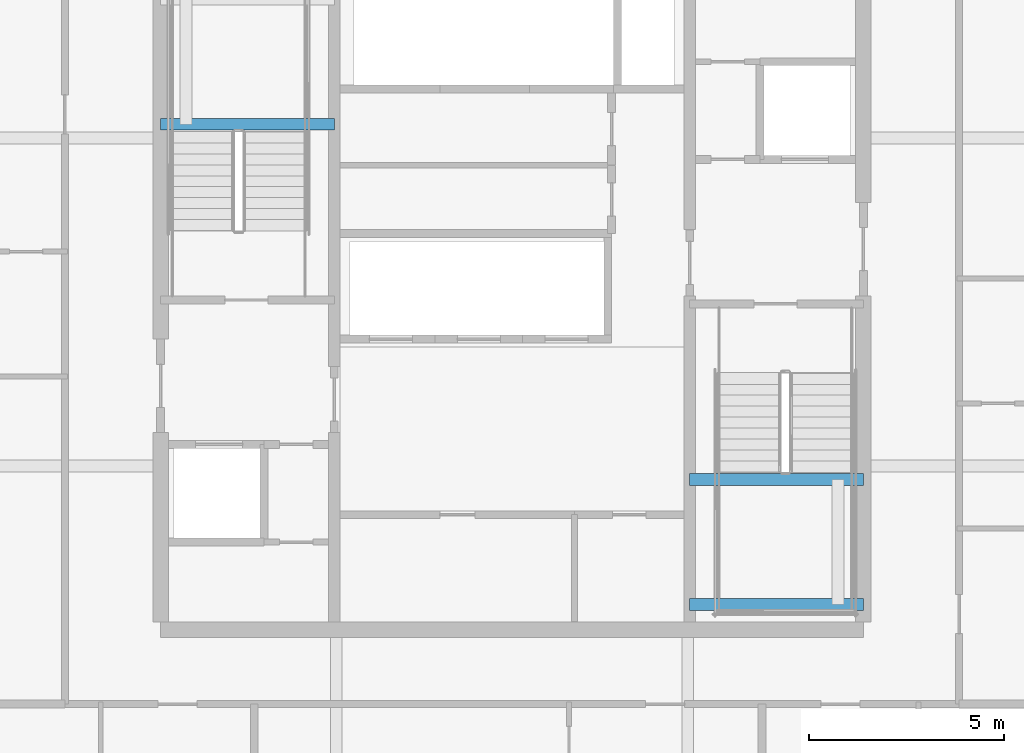
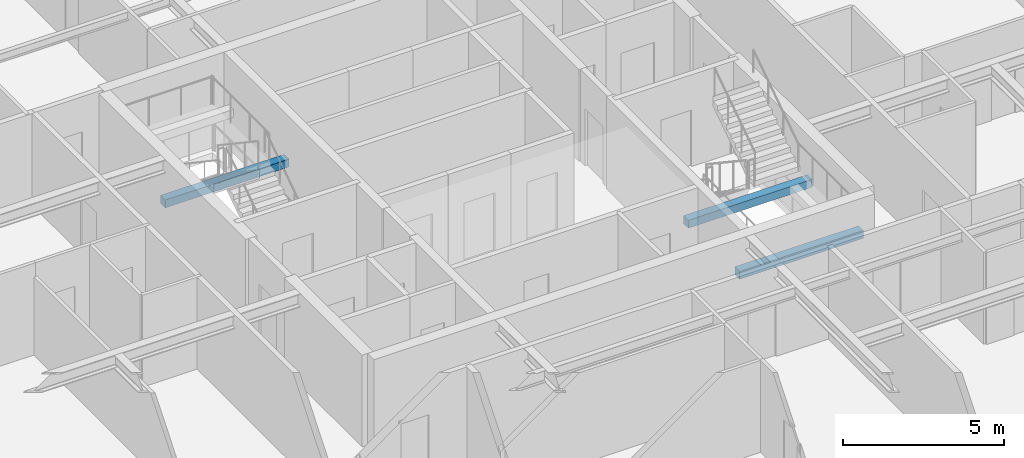
# One storey, part 9 of 35: 3 beams.
"""IFC4 building model written with IfcOpenShell, lengths in metres."""

import ifcopenshell
import ifcopenshell.guid

model = None  # the IFC model being written
_history = None  # IfcOwnerHistory: only IFC2X3 demands one
_inside = {}  # id of a spatial element -> (the spatial element, [elements in it])
_under = {}  # id of a project, library or spatial element -> (it, [spatial elements below it])
_declared = {}  # id of a project -> (the project, [libraries it declares])
_typed = {}  # id of a type object -> (the type object, [elements of that type])
_made_of = {}  # id of a material, layer set ... -> (it, [elements and type objects made of it])


def new_model(schema):
    """Start an empty IFC model of exactly this schema.

    Asked for "IFC4X3", IfcOpenShell would pick the latest addendum, in which some entities
    have other attributes; the version numbers below select the first issue.
    IFC2X3 requires an IfcOwnerHistory on every rooted entity: one is made here for all.
    """
    global model, _history
    if schema == "IFC4X3":
        model = ifcopenshell.file(schema_version=(4, 3, 0, 0))
    else:
        model = ifcopenshell.file(schema=schema)
    _inside.clear()
    _under.clear()
    _declared.clear()
    _typed.clear()
    _made_of.clear()
    _history = None
    if model.schema == "IFC2X3":
        org = make("IfcOrganization", Name="unknown")
        user = make(
            "IfcPersonAndOrganization",
            ThePerson=make("IfcPerson", FamilyName="unknown"),
            TheOrganization=org,
        )
        app = make(
            "IfcApplication",
            ApplicationDeveloper=org,
            Version="unknown",
            ApplicationFullName="unknown",
            ApplicationIdentifier="unknown",
        )
        _history = make(
            "IfcOwnerHistory",
            OwningUser=user,
            OwningApplication=app,
            ChangeAction="ADDED",
            CreationDate=0,
        )
    return model


def make(cls, **values):
    """One entity of the class cls with the attributes given. An attribute that is None is left unset."""
    return model.create_entity(
        cls, **{name: value for name, value in values.items() if value is not None}
    )


def rooted(cls, **values):
    """An entity with a GlobalId (a new one), such as an element, a storey or a relation."""
    return make(cls, GlobalId=ifcopenshell.guid.new(), OwnerHistory=_history, **values)


def si_unit(unit_type, name, prefix=None):
    """IfcSIUnit, for example si_unit("LENGTHUNIT", "METRE", prefix="MILLI")."""
    return make("IfcSIUnit", UnitType=unit_type, Prefix=prefix, Name=name)


def assignment(units):
    """IfcUnitAssignment: the units of a project."""
    return None if units is None else make("IfcUnitAssignment", Units=units)


def point(xyz):
    """IfcCartesianPoint."""
    return None if xyz is None else make("IfcCartesianPoint", Coordinates=xyz)


def direction(xyz):
    """IfcDirection."""
    return None if xyz is None else make("IfcDirection", DirectionRatios=xyz)


def frame(location, z_axis=None, x_axis=None):
    """IfcAxis2Placement3D, a coordinate frame: its origin and axes. An axis left out is left unset."""
    return make(
        "IfcAxis2Placement3D",
        Location=point(location),
        Axis=direction(z_axis),
        RefDirection=direction(x_axis),
    )


def frame_2d(location, x_axis=None):
    """IfcAxis2Placement2D, a coordinate frame in the plane: its origin and x axis."""
    return make(
        "IfcAxis2Placement2D", Location=point(location), RefDirection=direction(x_axis)
    )


def origin():
    """The frame at (0, 0, 0) with its axes left unset."""
    return frame((0.0, 0.0, 0.0))


def origin_2d():
    """The frame at (0, 0) in the plane with its x axis left unset."""
    return frame_2d((0.0, 0.0))


def place(relative_to, where):
    """IfcLocalPlacement: puts the frame where relative to a parent placement (None: the world)."""
    return make(
        "IfcLocalPlacement", PlacementRelTo=relative_to, RelativePlacement=where
    )


def context(
    kind, dimensions, precision=None, world=None, true_north=None, identifier=None
):
    """IfcGeometricRepresentationContext, for example the 3D "Model" context."""
    return make(
        "IfcGeometricRepresentationContext",
        ContextIdentifier=identifier,
        ContextType=kind,
        CoordinateSpaceDimension=dimensions,
        Precision=precision,
        WorldCoordinateSystem=world,
        TrueNorth=true_north,
    )


def subcontext(parent, identifier, kind, view, scale=None):
    """IfcGeometricRepresentationSubContext, for example "Body" below "Model"."""
    return make(
        "IfcGeometricRepresentationSubContext",
        ContextIdentifier=identifier,
        ContextType=kind,
        ParentContext=parent,
        TargetScale=scale,
        TargetView=view,
    )


def project(units=None, contexts=None):
    """IfcProject with its units and contexts."""
    return rooted(
        "IfcProject",
        Name="project",
        RepresentationContexts=contexts,
        UnitsInContext=assignment(units),
    )


def spatial(cls, under=None, at=None, **own):
    """A site, building, storey or space (cls), placed at a placement, below another one or the project."""
    s = rooted(cls, ObjectPlacement=at, **own)
    if under is not None:
        _under.setdefault(under.id(), (under, []))[1].append(s)
    return s


def profile(cls, at=None, kind="AREA", **sizes):
    """A parametric profile (cls). Its sizes go by their IFC names, for example OverallWidth=200.0."""
    return make(cls, ProfileType=kind, Position=at, **sizes)


def rectangle(**sizes):
    """IfcRectangleProfileDef."""
    return profile("IfcRectangleProfileDef", **sizes)


def extrude(swept, where, along, depth):
    """IfcExtrudedAreaSolid: the profile swept, set in the frame where, extruded along a direction by depth."""
    return make(
        "IfcExtrudedAreaSolid",
        SweptArea=swept,
        Position=where,
        ExtrudedDirection=direction(along),
        Depth=depth,
    )


def shape(context_of_items, identifier, shape_type, items):
    """IfcShapeRepresentation: the items that make up one representation, for example the "Body"."""
    return make(
        "IfcShapeRepresentation",
        ContextOfItems=context_of_items,
        RepresentationIdentifier=identifier,
        RepresentationType=shape_type,
        Items=items,
    )


def source(mapping_origin, context_of_items, identifier, shape_type, items):
    """IfcRepresentationMap: a shape defined once, which mapped items show again and again."""
    return make(
        "IfcRepresentationMap",
        MappingOrigin=mapping_origin,
        MappedRepresentation=shape(context_of_items, identifier, shape_type, items),
    )


def transform(
    local_origin,
    x_axis=None,
    y_axis=None,
    z_axis=None,
    scale=None,
    scale2=None,
    scale3=None,
    uniform=True,
):
    """IfcCartesianTransformationOperator3D, or its non-uniform kind. x_axis, y_axis, z_axis: its Axis1, 2, 3."""
    if uniform:
        return make(
            "IfcCartesianTransformationOperator3D",
            Axis1=direction(x_axis),
            Axis2=direction(y_axis),
            LocalOrigin=point(local_origin),
            Scale=scale,
            Axis3=direction(z_axis),
        )
    return make(
        "IfcCartesianTransformationOperator3DnonUniform",
        Axis1=direction(x_axis),
        Axis2=direction(y_axis),
        LocalOrigin=point(local_origin),
        Scale=scale,
        Axis3=direction(z_axis),
        Scale2=scale2,
        Scale3=scale3,
    )


def mapped(mapping_source, mapping_target):
    """IfcMappedItem: shows the shape of a source again, moved by a transform."""
    return make(
        "IfcMappedItem", MappingSource=mapping_source, MappingTarget=mapping_target
    )


def material(Name=None, Category=None):
    """IfcMaterial."""
    return make("IfcMaterial", Name=Name, Category=Category)


def material_profile(
    of_material, cross_section, Name=None, Category=None, Priority=None
):
    """IfcMaterialProfile: a cross section and its material."""
    return make(
        "IfcMaterialProfile",
        Name=Name,
        Material=of_material,
        Profile=cross_section,
        Priority=Priority,
        Category=Category,
    )


def profile_set(profiles, Name=None, composite=None):
    """IfcMaterialProfileSet."""
    return make(
        "IfcMaterialProfileSet",
        Name=Name,
        MaterialProfiles=profiles,
        CompositeProfile=composite,
    )


def made_of(thing, what):
    """Note that an element or type object is made of a material, layer set ...; save() writes the relation."""
    if what is not None:
        _made_of.setdefault(what.id(), (what, []))[1].append(thing)
    return thing


def type_object(cls, material=None, **own):
    """A type object (cls), such as IfcWallType, which elements share."""
    return made_of(rooted(cls, **own), material)


def element(
    cls,
    number,
    at=None,
    inside=None,
    cuts=None,
    type_object=None,
    material=None,
    context=None,
    identifier="Body",
    shape_type=None,
    held_by="IfcProductDefinitionShape",
    body=None,
    shapes=None,
    **own,
):
    """One element of the class cls, such as IfcWall. Its Tag is "e" and its number.

    at: its placement. inside: the storey or other place that contains it. cuts: it is an
    opening in that element (IfcRelVoidsElement). A single representation is given by context,
    identifier, shape_type and body (its items); several are given by shapes. held_by: the class
    of the entity that holds the representations. save() writes the other relations.
    """
    e = rooted(cls, Tag="e%d" % number, ObjectPlacement=at, **own)
    if body is not None:
        shapes = [shape(context, identifier, shape_type, body)]
    if shapes is not None:
        e.Representation = make(held_by, Representations=shapes)
    if inside is not None:
        _inside.setdefault(inside.id(), (inside, []))[1].append(e)
    if cuts is not None:
        rooted(
            "IfcRelVoidsElement", RelatingBuildingElement=cuts, RelatedOpeningElement=e
        )
    if type_object is not None:
        _typed.setdefault(type_object.id(), (type_object, []))[1].append(e)
    return made_of(e, material)


def aggregate(whole, parts):
    """IfcRelAggregates: a whole, such as a stair, and the parts it consists of."""
    return rooted("IfcRelAggregates", RelatingObject=whole, RelatedObjects=parts)


def save(model, path):
    """Write the relations noted so far, then the file.

    IfcRelAggregates (storeys below a building ...), IfcRelContainedInSpatialStructure (elements
    in a storey), IfcRelDefinesByType, IfcRelAssociatesMaterial and IfcRelDeclares: one each for
    every whole, place, type object, material and project.
    """
    for whole, parts in _under.values():
        aggregate(whole, parts)
    for where, things in _inside.values():
        rooted(
            "IfcRelContainedInSpatialStructure",
            RelatedElements=things,
            RelatingStructure=where,
        )
    for kind, things in _typed.values():
        rooted("IfcRelDefinesByType", RelatedObjects=things, RelatingType=kind)
    for what, things in _made_of.values():
        rooted("IfcRelAssociatesMaterial", RelatedObjects=things, RelatingMaterial=what)
    for by, libraries in _declared.values():
        rooted("IfcRelDeclares", RelatingContext=by, RelatedDefinitions=libraries)
    model.write(path)


model = new_model("IFC4")

# Units and contexts
model_context = context("Model", 3, precision=1e-05, world=origin(), true_north=direction((0.0, 1.0)))
body_context = subcontext(model_context, "Body", "Model", "MODEL_VIEW")
ifc_project = project(units=[si_unit("LENGTHUNIT", "METRE"), si_unit("AREAUNIT", "SQUARE_METRE"), si_unit("VOLUMEUNIT", "CUBIC_METRE"), si_unit("PLANEANGLEUNIT", "RADIAN"), si_unit("MASSUNIT", "GRAM", prefix="KILO")], contexts=[model_context])

# Site, building, storey
site_placement = place(None, origin())
site = spatial("IfcSite", under=ifc_project, at=site_placement, CompositionType="ELEMENT")
building_placement = place(site_placement, origin())
building = spatial("IfcBuilding", under=site, at=building_placement, Name="Serunith Strait Residences", CompositionType="ELEMENT")
storey_placement = place(building_placement, frame((0.0, 0.0, 191.39990234375)))
storey = spatial("IfcBuildingStorey", under=building, at=storey_placement, Name="L48", CompositionType="ELEMENT", Elevation=191.39990234375)

# Beams
ifc_material = material(Name="Concrete C60/75", Category="concrete")
ifc_material_profile = material_profile(ifc_material, rectangle(XDim=0.300048828125, YDim=0.300048828125, at=origin_2d()), Name="RC 300x300")
ifc_profile_set = profile_set([ifc_material_profile], Name="Concrete C60/75")
beam_type = type_object("IfcBeamType", Name="BM-LAND-300x300", PredefinedType="BEAM", material=ifc_profile_set)
shared_shape_1 = source(origin(), body_context, "Body", "SweptSolid", [
    extrude(rectangle(XDim=0.300048828125, YDim=0.300048828125, at=origin_2d()), origin(), (0.0, 0.0, 1.0), 4.4501953125),
])
beam_placement = place(storey_placement, frame((23.39990234375, 29.75, 1.525146484375), z_axis=(1.0, 0.0, 0.0), x_axis=(0.0, 1.0, 0.0)))
element("IfcBeam", 1, at=beam_placement, inside=storey, type_object=beam_type, Name="L48 ST-1 Landing Support Beam 1", PredefinedType="BEAM", context=body_context, shape_type="MappedRepresentation", body=[
    mapped(shared_shape_1, transform((0.0, 0.0, 0.0), scale=1.0)),
])
shared_shape_2 = source(origin(), body_context, "Body", "SweptSolid", [
    extrude(rectangle(XDim=0.300048828125, YDim=0.300048828125, at=origin_2d()), origin(), (0.0, 0.0, 1.0), 4.449951171875),
])
for number, where, z_axis, x_axis, name in (
    (2, (36.949951171875, 17.449951171875, 1.525146484375), (1.0, 0.0, 0.0), (0.0, 1.0, 0.0), "L48 ST-2 Landing Support Beam 1"),
    (3, (36.949951171875, 20.64990234375, 1.525146484375), (1.0, 0.0, 0.0), (0.0, 1.0, 0.0), "L48 ST-2 Landing Support Beam 2"),
):
    element("IfcBeam", number, at=place(storey_placement, frame(where, z_axis=z_axis, x_axis=x_axis)), inside=storey, type_object=beam_type, Name=name, PredefinedType="BEAM", context=body_context, shape_type="MappedRepresentation", body=[
        mapped(shared_shape_2, transform((0.0, 0.0, 0.0), scale=1.0)),
    ])

save(model, "model.ifc")
